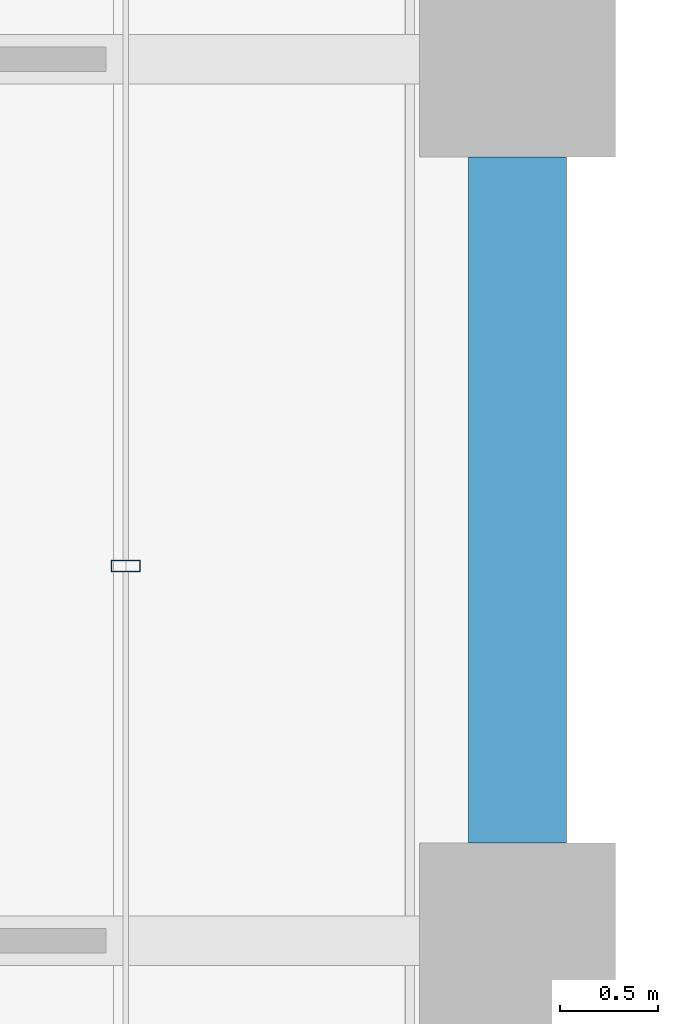
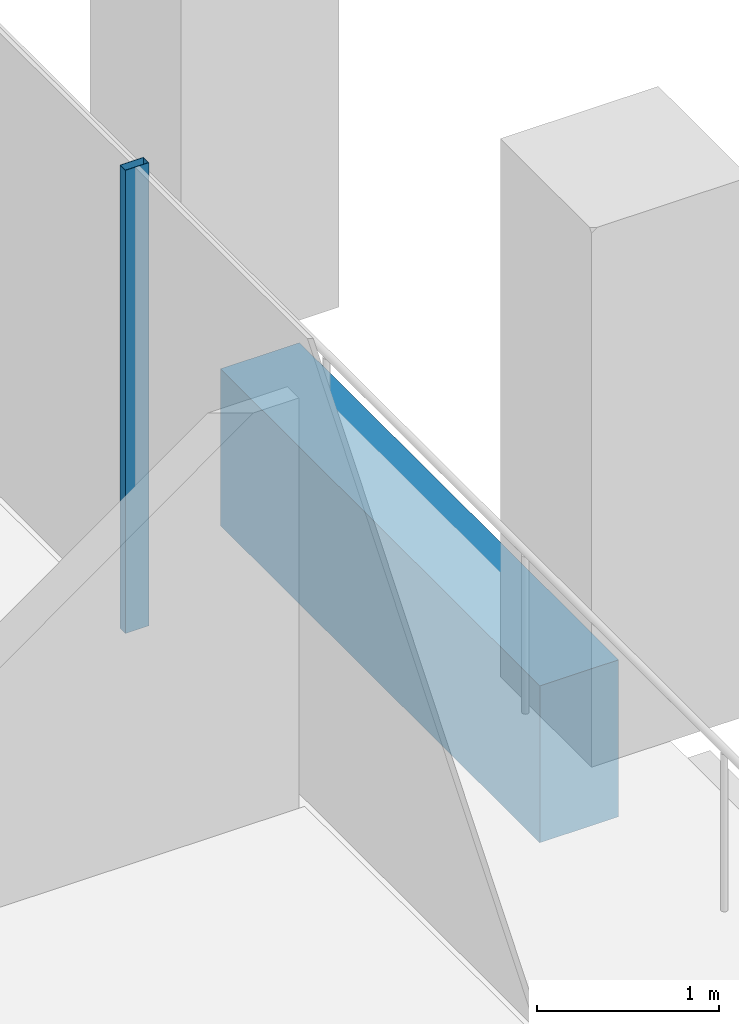
# One storey, part 17 of 47: 1 beam, 1 member, 1 element without a shape of its own.
"""IFC4 building model written with IfcOpenShell, lengths in metres."""

from ifc_helpers import new_model, si_unit, direction, frame, origin, origin_2d, place, context, subcontext, project, spatial, rectangle, hollow_rectangle, extrude, material, material_profile, profile_set, type_object, element, aggregate, save


model = new_model("IFC4")

# Units and contexts
model_context = context("Model", 3, precision=1e-05, world=origin(), true_north=direction((0.0, 1.0)))
body_context = subcontext(model_context, "Body", "Model", "MODEL_VIEW")
ifc_project = project(units=[si_unit("LENGTHUNIT", "METRE"), si_unit("AREAUNIT", "SQUARE_METRE"), si_unit("VOLUMEUNIT", "CUBIC_METRE"), si_unit("PLANEANGLEUNIT", "RADIAN"), si_unit("MASSUNIT", "GRAM", prefix="KILO")], contexts=[model_context])

# Site, building, storey
site_placement = place(None, origin())
site = spatial("IfcSite", under=ifc_project, at=site_placement, CompositionType="ELEMENT")
building_placement = place(site_placement, origin())
building = spatial("IfcBuilding", under=site, at=building_placement, Name="Altepetl Exchange Towers", CompositionType="ELEMENT")
storey_placement = place(building_placement, frame((0.0, 0.0, 95.60009765625)))
storey = spatial("IfcBuildingStorey", under=building, at=storey_placement, Name="L23", CompositionType="ELEMENT", Elevation=95.60009765625)

# Curtain wall, member
ifc_material_1 = material(Name="Aluminium 6063-T6 glazing", Category="aluminium")
curtain_wall_type = type_object("IfcCurtainWallType", Name="Loggia glazing system", PredefinedType="NOTDEFINED", material=ifc_material_1)
curtain_wall_placement = place(storey_placement, origin())
curtain_wall = element("IfcCurtainWall", 1, at=curtain_wall_placement, inside=storey, type_object=curtain_wall_type, Name="CW1 run", PredefinedType="NOTDEFINED")
ifc_material_2 = material(Name="Aluminium 6063-T6", Category="aluminium")
ifc_material_profile_1 = material_profile(ifc_material_2, hollow_rectangle(XDim=0.06005859375, YDim=0.14990234375, WallThickness=0.0029296875, at=origin_2d()), Name="Mullion 60x150 aluminium")
ifc_profile_set_1 = profile_set([ifc_material_profile_1], Name="Aluminium 6063-T6")
member_type = type_object("IfcMemberType", Name="Mullion 60x150 aluminium", PredefinedType="MULLION", material=ifc_profile_set_1)
member_placement = place(storey_placement, frame((70.0, 46.9130859375, 0.0), z_axis=(0.0, 0.0, 1.0), x_axis=(0.0, 1.0, 0.0)))
member = element("IfcMember", 2, at=member_placement, type_object=member_type, Name="MU1 mullion", PredefinedType="MULLION", context=body_context, shape_type="SweptSolid", body=[
    extrude(hollow_rectangle(XDim=0.06005859375, YDim=0.14990234375, WallThickness=0.0029296875, at=origin_2d()), origin(), (0.0, 0.0, 1.0), 3.099853515625),
])
aggregate(curtain_wall, [member])

# Beam
ifc_material_3 = material(Name="Concrete C50/60 precast with cantera amarilla facing", Category="concrete")
ifc_material_profile_2 = material_profile(ifc_material_3, rectangle(XDim=0.5, YDim=1.050048828125, at=origin_2d()), Name="500 x 1050")
ifc_profile_set_2 = profile_set([ifc_material_profile_2], Name="Concrete C50/60 precast with cantera amarilla facing")
beam_type = type_object("IfcBeamType", Name="Spandrel beam 500x1050 cantera amarilla", PredefinedType="SPANDREL", material=ifc_profile_set_2)
beam_placement = place(storey_placement, frame((72.0, 45.5, -0.675048828125), z_axis=(0.0, 1.0, 0.0), x_axis=(-1.0, 0.0, 0.0)))
element("IfcBeam", 3, at=beam_placement, inside=storey, type_object=beam_type, Name="sp:A:L23:015", PredefinedType="SPANDREL", context=body_context, shape_type="SweptSolid", body=[
    extrude(rectangle(XDim=0.5, YDim=1.050048828125, at=origin_2d()), origin(), (0.0, 0.0, 1.0), 3.5),
])

save(model, "model.ifc")
